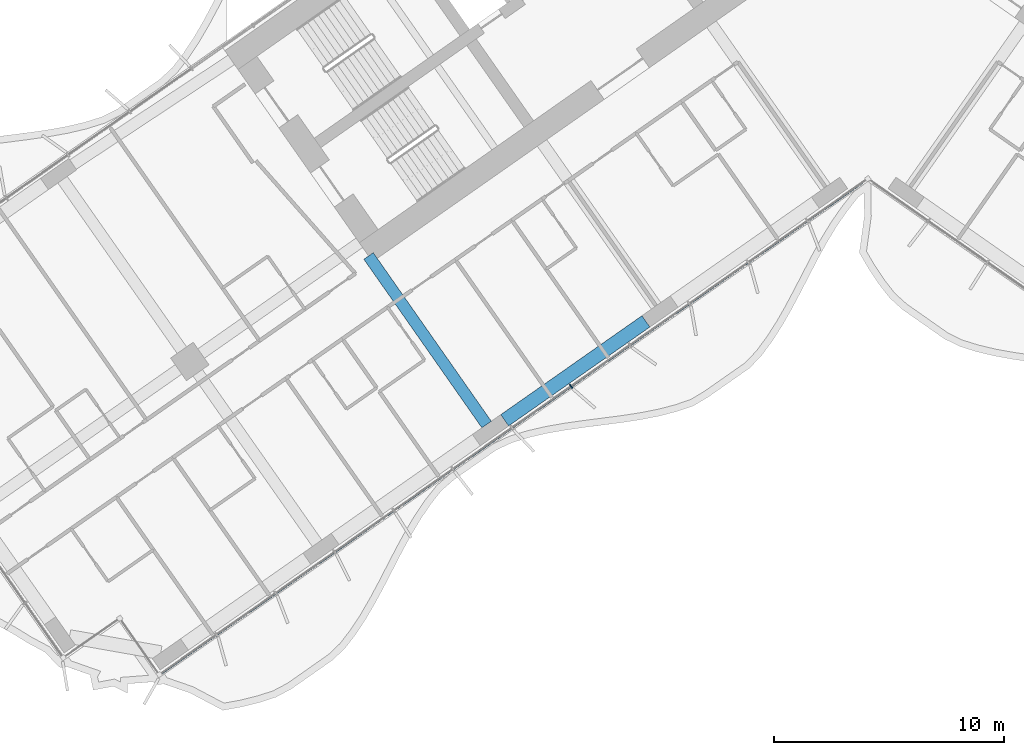
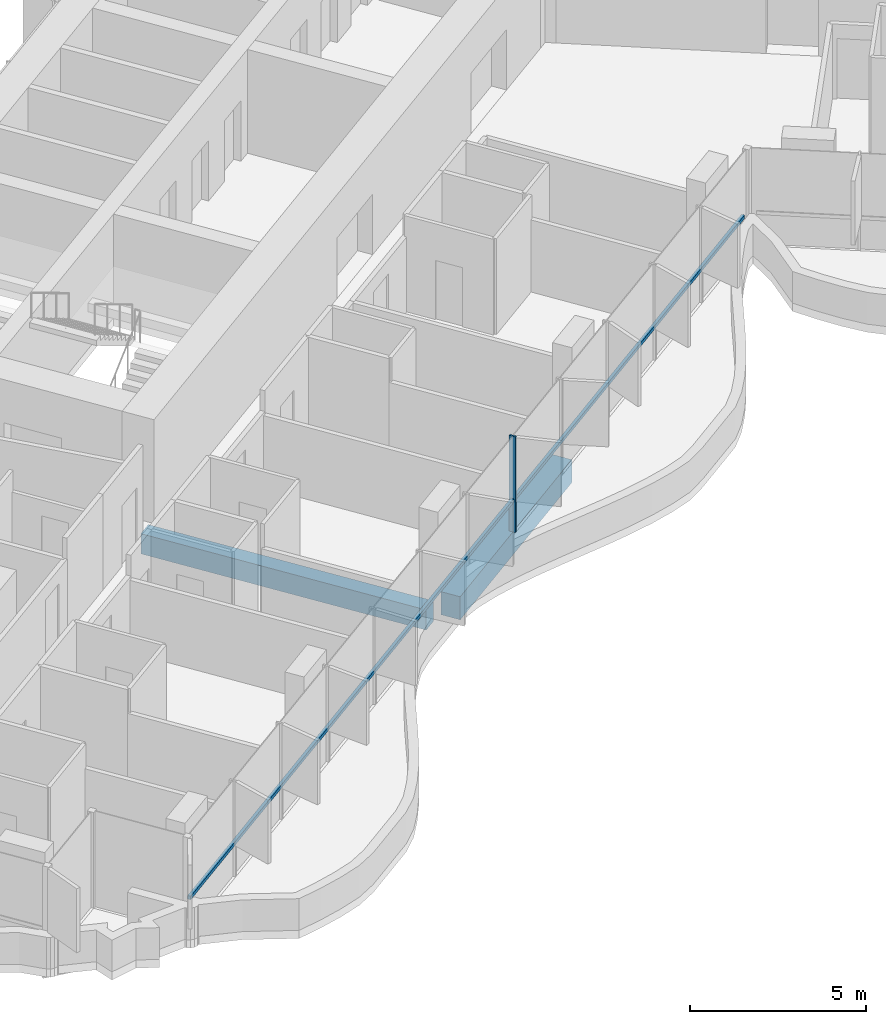
# One storey, part 3 of 25: 2 beams, 2 members, 1 element without a shape of its own.
"""IFC4 building model written with IfcOpenShell, lengths in metres."""

from ifc_helpers import new_model, si_unit, direction, frame, origin, origin_2d, place, context, subcontext, project, spatial, rectangle, extrude, material, material_profile, profile_set, type_object, element, aggregate, save


model = new_model("IFC4")

# Units and contexts
model_context = context("Model", 3, precision=1e-05, world=origin(), true_north=direction((0.0, 1.0)))
body_context = subcontext(model_context, "Body", "Model", "MODEL_VIEW")
ifc_project = project(units=[si_unit("LENGTHUNIT", "METRE"), si_unit("AREAUNIT", "SQUARE_METRE"), si_unit("VOLUMEUNIT", "CUBIC_METRE"), si_unit("PLANEANGLEUNIT", "RADIAN"), si_unit("MASSUNIT", "GRAM", prefix="KILO")], contexts=[model_context])

# Site, building, storey
site_placement = place(None, origin())
site = spatial("IfcSite", under=ifc_project, at=site_placement, CompositionType="ELEMENT")
building_placement = place(site_placement, origin())
building = spatial("IfcBuilding", under=site, at=building_placement, Name="Tel Ilan Convention Tower", CompositionType="ELEMENT")
storey_placement = place(building_placement, frame((0.0, 0.0, 61.699951171875)))
storey = spatial("IfcBuildingStorey", under=building, at=storey_placement, Name="L10", CompositionType="ELEMENT", Elevation=61.699951171875)

# Beams
ifc_material_1 = material(Name="Concrete C40/50", Category="concrete")
ifc_material_profile_1 = material_profile(ifc_material_1, rectangle(XDim=0.5, YDim=0.699951171875, at=origin_2d()), Name="RC 500x700")
ifc_profile_set_1 = profile_set([ifc_material_profile_1], Name="Concrete C40/50")
beam_type_1 = type_object("IfcBeamType", Name="Beam RC 500x700 Concrete C40/50", PredefinedType="BEAM", material=ifc_profile_set_1)
beam_1_placement = place(storey_placement, frame((-16.58203125, -23.391357421875, -0.6298828125), z_axis=(-0.573584999642, 0.819146048141, 0.0), x_axis=(-0.819146048141, -0.573584999642, 0.0)))
element("IfcBeam", 1, at=beam_1_placement, inside=storey, type_object=beam_type_1, Name="L10 beam W-W-F3-core", PredefinedType="BEAM", context=body_context, shape_type="SweptSolid", body=[
    extrude(rectangle(XDim=0.5, YDim=0.699951171875, at=origin_2d()), origin(), (0.0, 0.0, 1.0), 8.949951171875),
])
ifc_material_2 = material(Name="Concrete C40/50", Category="concrete")
ifc_material_profile_2 = material_profile(ifc_material_2, rectangle(XDim=0.60009765625, YDim=0.800048828125, at=origin_2d()), Name="RC 600x800")
ifc_profile_set_2 = profile_set([ifc_material_profile_2], Name="Concrete C40/50")
beam_type_2 = type_object("IfcBeamType", Name="Beam RC 600x800 Concrete C40/50", PredefinedType="BEAM", material=ifc_profile_set_2)
beam_2_placement = place(storey_placement, frame((-9.652099609375, -18.905029296875, -0.679931640625), z_axis=(-0.81915238829, -0.573575945067, 0.0), x_axis=(0.573575945067, -0.81915238829, 0.0)))
element("IfcBeam", 2, at=beam_2_placement, inside=storey, type_object=beam_type_2, Name="L10 beam W-W-F2-W-F3", PredefinedType="BEAM", context=body_context, shape_type="SweptSolid", body=[
    extrude(rectangle(XDim=0.60009765625, YDim=0.800048828125, at=origin_2d()), origin(), (0.0, 0.0, 1.0), 7.5),
])

# Curtain wall, members
ifc_material_3 = material(Name="Aluminium, bronze anodised", Category="aluminium")
curtain_wall_type = type_object("IfcCurtainWallType", Name="CW1 UNITISED CURTAIN WALL, HOTEL TINTED GLASS", PredefinedType="NOTDEFINED", material=ifc_material_3)
curtain_wall_placement = place(storey_placement, origin())
curtain_wall = element("IfcCurtainWall", 3, at=curtain_wall_placement, inside=storey, type_object=curtain_wall_type, Name="Curtain wall CW1-11.02", PredefinedType="NOTDEFINED")
ifc_material_4 = material(Name="Aluminium, bronze anodised", Category="aluminium")
ifc_material_profile_3 = material_profile(ifc_material_4, rectangle(XDim=0.06005859375, YDim=0.199951171875, at=origin_2d()), Name="CW MULLION 60x200")
ifc_profile_set_3 = profile_set([ifc_material_profile_3], Name="Aluminium, bronze anodised")
member_type_1 = type_object("IfcMemberType", Name="CW MULLION 60x200", PredefinedType="MULLION", material=ifc_profile_set_3)
member_1_placement = place(storey_placement, frame((-12.906982421875, -21.733642578125, 0.0), z_axis=(0.0, 0.0, 1.0), x_axis=(0.819152044289, 0.573576436351, 0.0)))
member_1 = element("IfcMember", 4, at=member_1_placement, type_object=member_type_1, Name="Mullion", PredefinedType="MULLION", context=body_context, shape_type="SweptSolid", body=[
    extrude(rectangle(XDim=0.06005859375, YDim=0.199951171875, at=origin_2d()), origin(), (0.0, 0.0, 1.0), 3.320068359375),
])
ifc_material_5 = material(Name="Aluminium, bronze anodised", Category="aluminium")
ifc_material_profile_4 = material_profile(ifc_material_5, rectangle(XDim=0.10009765625, YDim=0.1201171875, at=origin_2d()), Name="CW TRANSOM 100x120")
ifc_profile_set_4 = profile_set([ifc_material_profile_4], Name="Aluminium, bronze anodised")
member_type_2 = type_object("IfcMemberType", Name="CW TRANSOM 100x120", PredefinedType="USERDEFINED", material=ifc_profile_set_4)
member_2_placement = place(storey_placement, frame((-30.73291015625, -34.21533203125, 1.10009765625), z_axis=(0.819152467103, 0.57357583251, 0.0), x_axis=(-0.57357583251, 0.819152467103, 0.0)))
member_2 = element("IfcMember", 5, at=member_2_placement, type_object=member_type_2, Name="Transom", ObjectType="TRANSOM", PredefinedType="USERDEFINED", context=body_context, shape_type="SweptSolid", body=[
    extrude(rectangle(XDim=0.10009765625, YDim=0.1201171875, at=origin_2d()), origin(), (0.0, 0.0, 1.0), 37.247802734375),
])
aggregate(curtain_wall, [member_1, member_2])

save(model, "model.ifc")
